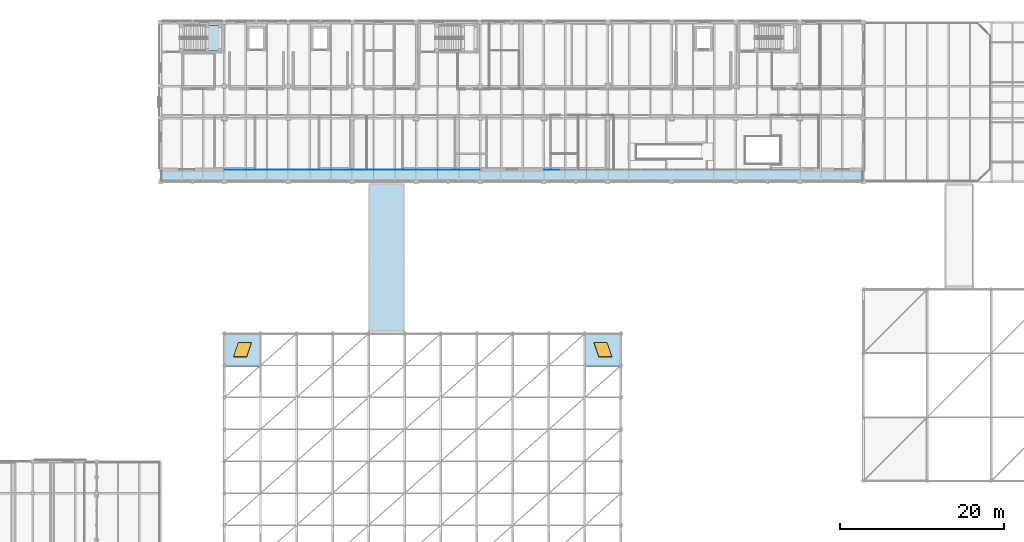
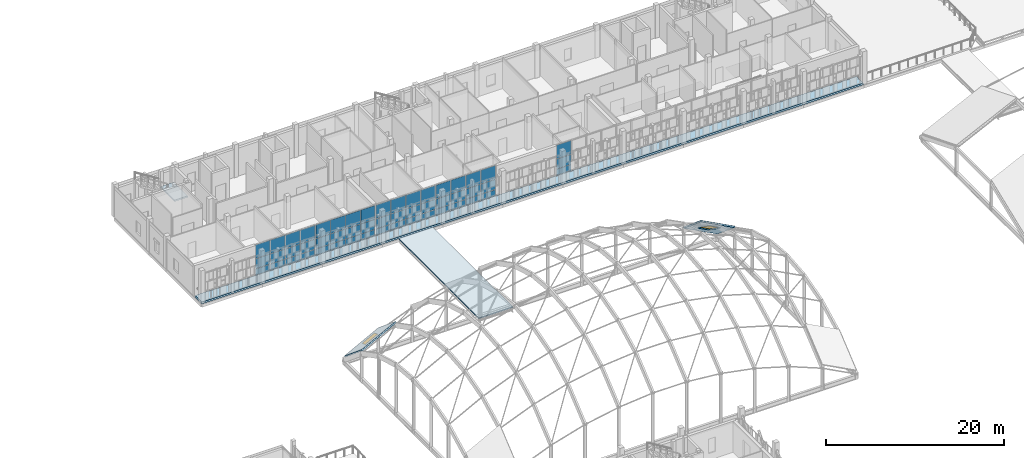
# One storey, part 73 of 119: 51 plates, 5 slabs, 2 windows, 2 openings, 6 elements without a shape of their own.
"""IFC4 building model written with IfcOpenShell, lengths in metres."""

from ifc_helpers import new_model, si_unit, direction, frame, origin, origin_2d, place, context, subcontext, project, spatial, polyline, rectangle, outline, extrude, material, layer, layer_set, type_object, element, fill, aggregate, save


model = new_model("IFC4")

# Units and contexts
model_context = context("Model", 3, precision=1e-05, world=origin(), true_north=direction((0.0, 1.0)))
body_context = subcontext(model_context, "Body", "Model", "MODEL_VIEW")
ifc_project = project(units=[si_unit("LENGTHUNIT", "METRE"), si_unit("AREAUNIT", "SQUARE_METRE"), si_unit("VOLUMEUNIT", "CUBIC_METRE"), si_unit("PLANEANGLEUNIT", "RADIAN"), si_unit("MASSUNIT", "GRAM", prefix="KILO")], contexts=[model_context])

# Site, building, storey
site_placement = place(None, origin())
site = spatial("IfcSite", under=ifc_project, at=site_placement, CompositionType="ELEMENT")
building_placement = place(site_placement, origin())
building = spatial("IfcBuilding", under=site, at=building_placement, Name="Celorna Specialist Clinic", CompositionType="ELEMENT")
storey_placement = place(building_placement, frame((0.0, 0.0, 9.60009765625)))
storey = spatial("IfcBuildingStorey", under=building, at=storey_placement, Name="L02", CompositionType="ELEMENT", Elevation=9.60009765625)

# Curtain wall, plates
ifc_material_1 = material(Name="Thermally broken aluminium and solar-control glass curtain wall", Category="aluminium")
ifc_layer_1 = layer(ifc_material_1, 0.159912109375, Name="Thermally broken aluminium and solar-control glass curtain wall")
ifc_layer_set_1 = layer_set([ifc_layer_1], Name="Thermally broken aluminium and solar-control glass curtain wall")
curtain_wall_type_1 = type_object("IfcCurtainWallType", Name="CW-68", PredefinedType="NOTDEFINED", material=ifc_layer_set_1)
curtain_wall_1_placement = place(storey_placement, origin())
curtain_wall_1 = element("IfcCurtainWall", 1, at=curtain_wall_1_placement, inside=storey, type_object=curtain_wall_type_1, Name="Curtain wall CW-68 #123", PredefinedType="NOTDEFINED")
ifc_material_2 = material(Name="Low-e double glazing", Category="glass")
ifc_layer_2 = layer(ifc_material_2, 0.028076171875, Name="Low-e double glazing")
ifc_layer_set_2 = layer_set([ifc_layer_2], Name="Low-e double glazing")
plate_type_1 = type_object("IfcPlateType", Name="CPN-01", PredefinedType="CURTAIN_PANEL", material=ifc_layer_set_2)
plate_1_placement = place(storey_placement, frame((77.009521484375, 98.0, 0.0498046875), z_axis=(0.0, 0.0, 1.0), x_axis=(-1.0, 0.0, 0.0)))
plate_1 = element("IfcPlate", 2, at=plate_1_placement, type_object=plate_type_1, Name="CW-68 panel 1.1", PredefinedType="CURTAIN_PANEL", context=body_context, shape_type="SweptSolid", body=[
    extrude(rectangle(XDim=1.873046875, YDim=0.028076171875, at=origin_2d()), origin(), (0.0, 0.0, 1.0), 0.824951171875),
])
plate_2_placement = place(storey_placement, frame((77.009521484375, 98.0, 0.9248046875), z_axis=(0.0, 0.0, 1.0), x_axis=(-1.0, 0.0, 0.0)))
plate_2 = element("IfcPlate", 3, at=plate_2_placement, type_object=plate_type_1, Name="CW-68 panel 1.2", PredefinedType="CURTAIN_PANEL", context=body_context, shape_type="SweptSolid", body=[
    extrude(rectangle(XDim=1.873046875, YDim=0.028076171875, at=origin_2d()), origin(), (0.0, 0.0, 1.0), 1.35009765625),
])
plate_3_placement = place(storey_placement, frame((77.009521484375, 98.0, 2.32470703125), z_axis=(0.0, 0.0, 1.0), x_axis=(-1.0, 0.0, 0.0)))
plate_3 = element("IfcPlate", 4, at=plate_3_placement, type_object=plate_type_1, Name="CW-68 panel 1.3", PredefinedType="CURTAIN_PANEL", context=body_context, shape_type="SweptSolid", body=[
    extrude(rectangle(XDim=1.873046875, YDim=0.028076171875, at=origin_2d()), origin(), (0.0, 0.0, 1.0), 1.864990234375),
])
plate_4_placement = place(storey_placement, frame((75.073974609375, 98.0, 0.0498046875), z_axis=(0.0, 0.0, 1.0), x_axis=(-1.0, 0.0, 0.0)))
plate_4 = element("IfcPlate", 5, at=plate_4_placement, type_object=plate_type_1, Name="CW-68 panel 2.1", PredefinedType="CURTAIN_PANEL", context=body_context, shape_type="SweptSolid", body=[
    extrude(rectangle(XDim=1.89794921875, YDim=0.028076171875, at=origin_2d()), origin(), (0.0, 0.0, 1.0), 0.824951171875),
])
plate_5_placement = place(storey_placement, frame((75.073974609375, 98.0, 0.9248046875), z_axis=(0.0, 0.0, 1.0), x_axis=(-1.0, 0.0, 0.0)))
plate_5 = element("IfcPlate", 6, at=plate_5_placement, type_object=plate_type_1, Name="CW-68 panel 2.2", PredefinedType="CURTAIN_PANEL", context=body_context, shape_type="SweptSolid", body=[
    extrude(rectangle(XDim=1.89794921875, YDim=0.028076171875, at=origin_2d()), origin(), (0.0, 0.0, 1.0), 1.35009765625),
])
plate_6_placement = place(storey_placement, frame((75.073974609375, 98.0, 2.32470703125), z_axis=(0.0, 0.0, 1.0), x_axis=(-1.0, 0.0, 0.0)))
plate_6 = element("IfcPlate", 7, at=plate_6_placement, type_object=plate_type_1, Name="CW-68 panel 2.3", PredefinedType="CURTAIN_PANEL", context=body_context, shape_type="SweptSolid", body=[
    extrude(rectangle(XDim=1.89794921875, YDim=0.028076171875, at=origin_2d()), origin(), (0.0, 0.0, 1.0), 1.864990234375),
])
plate_7_placement = place(storey_placement, frame((73.1259765625, 98.0, 0.0498046875), z_axis=(0.0, 0.0, 1.0), x_axis=(-1.0, 0.0, 0.0)))
plate_7 = element("IfcPlate", 8, at=plate_7_placement, type_object=plate_type_1, Name="CW-68 panel 3.1", PredefinedType="CURTAIN_PANEL", context=body_context, shape_type="SweptSolid", body=[
    extrude(rectangle(XDim=1.89794921875, YDim=0.028076171875, at=origin_2d()), origin(), (0.0, 0.0, 1.0), 0.824951171875),
])
plate_8_placement = place(storey_placement, frame((73.1259765625, 98.0, 0.9248046875), z_axis=(0.0, 0.0, 1.0), x_axis=(-1.0, 0.0, 0.0)))
plate_8 = element("IfcPlate", 9, at=plate_8_placement, type_object=plate_type_1, Name="CW-68 panel 3.2", PredefinedType="CURTAIN_PANEL", context=body_context, shape_type="SweptSolid", body=[
    extrude(rectangle(XDim=1.89794921875, YDim=0.028076171875, at=origin_2d()), origin(), (0.0, 0.0, 1.0), 1.35009765625),
])
plate_9_placement = place(storey_placement, frame((73.1259765625, 98.0, 2.32470703125), z_axis=(0.0, 0.0, 1.0), x_axis=(-1.0, 0.0, 0.0)))
plate_9 = element("IfcPlate", 10, at=plate_9_placement, type_object=plate_type_1, Name="CW-68 panel 3.3", PredefinedType="CURTAIN_PANEL", context=body_context, shape_type="SweptSolid", body=[
    extrude(rectangle(XDim=1.89794921875, YDim=0.028076171875, at=origin_2d()), origin(), (0.0, 0.0, 1.0), 1.864990234375),
])
plate_10_placement = place(storey_placement, frame((71.1904296875, 98.0, 0.0498046875), z_axis=(0.0, 0.0, 1.0), x_axis=(-1.0, 0.0, 0.0)))
plate_10 = element("IfcPlate", 11, at=plate_10_placement, type_object=plate_type_1, Name="CW-68 panel 4.1", PredefinedType="CURTAIN_PANEL", context=body_context, shape_type="SweptSolid", body=[
    extrude(rectangle(XDim=1.873046875, YDim=0.028076171875, at=origin_2d()), origin(), (0.0, 0.0, 1.0), 0.824951171875),
])
plate_11_placement = place(storey_placement, frame((71.1904296875, 98.0, 0.9248046875), z_axis=(0.0, 0.0, 1.0), x_axis=(-1.0, 0.0, 0.0)))
plate_11 = element("IfcPlate", 12, at=plate_11_placement, type_object=plate_type_1, Name="CW-68 panel 4.2", PredefinedType="CURTAIN_PANEL", context=body_context, shape_type="SweptSolid", body=[
    extrude(rectangle(XDim=1.873046875, YDim=0.028076171875, at=origin_2d()), origin(), (0.0, 0.0, 1.0), 1.35009765625),
])
plate_12_placement = place(storey_placement, frame((71.1904296875, 98.0, 2.32470703125), z_axis=(0.0, 0.0, 1.0), x_axis=(-1.0, 0.0, 0.0)))
plate_12 = element("IfcPlate", 13, at=plate_12_placement, type_object=plate_type_1, Name="CW-68 panel 4.3", PredefinedType="CURTAIN_PANEL", context=body_context, shape_type="SweptSolid", body=[
    extrude(rectangle(XDim=1.873046875, YDim=0.028076171875, at=origin_2d()), origin(), (0.0, 0.0, 1.0), 1.864990234375),
])
aggregate(curtain_wall_1, [plate_1, plate_2, plate_3, plate_4, plate_5, plate_6, plate_7, plate_8, plate_9, plate_10, plate_11, plate_12])

curtain_wall_2_placement = place(storey_placement, origin())
curtain_wall_2 = element("IfcCurtainWall", 14, at=curtain_wall_2_placement, inside=storey, type_object=curtain_wall_type_1, Name="Curtain wall CW-68 #125", PredefinedType="NOTDEFINED")
plate_13_placement = place(storey_placement, frame((94.590576171875, 98.0, 0.0498046875), z_axis=(0.0, 0.0, 1.0), x_axis=(-1.0, 0.0, 0.0)))
plate_13 = element("IfcPlate", 15, at=plate_13_placement, type_object=plate_type_1, Name="CW-68 panel 4.1", PredefinedType="CURTAIN_PANEL", context=body_context, shape_type="SweptSolid", body=[
    extrude(rectangle(XDim=1.873046875, YDim=0.028076171875, at=origin_2d()), origin(), (0.0, 0.0, 1.0), 0.824951171875),
])
plate_14_placement = place(storey_placement, frame((94.590576171875, 98.0, 0.9248046875), z_axis=(0.0, 0.0, 1.0), x_axis=(-1.0, 0.0, 0.0)))
plate_14 = element("IfcPlate", 16, at=plate_14_placement, type_object=plate_type_1, Name="CW-68 panel 4.2", PredefinedType="CURTAIN_PANEL", context=body_context, shape_type="SweptSolid", body=[
    extrude(rectangle(XDim=1.873046875, YDim=0.028076171875, at=origin_2d()), origin(), (0.0, 0.0, 1.0), 1.35009765625),
])
plate_15_placement = place(storey_placement, frame((94.590576171875, 98.0, 2.32470703125), z_axis=(0.0, 0.0, 1.0), x_axis=(-1.0, 0.0, 0.0)))
plate_15 = element("IfcPlate", 17, at=plate_15_placement, type_object=plate_type_1, Name="CW-68 panel 4.3", PredefinedType="CURTAIN_PANEL", context=body_context, shape_type="SweptSolid", body=[
    extrude(rectangle(XDim=1.873046875, YDim=0.028076171875, at=origin_2d()), origin(), (0.0, 0.0, 1.0), 1.864990234375),
])
aggregate(curtain_wall_2, [plate_13, plate_14, plate_15])

ifc_layer_3 = layer(ifc_material_1, 0.159912109375, Name="Thermally broken aluminium and solar-control glass curtain wall")
ifc_layer_set_3 = layer_set([ifc_layer_3], Name="Thermally broken aluminium and solar-control glass curtain wall")
curtain_wall_type_2 = type_object("IfcCurtainWallType", Name="CW-67", PredefinedType="NOTDEFINED", material=ifc_layer_set_3)
curtain_wall_3_placement = place(storey_placement, origin())
curtain_wall_3 = element("IfcCurtainWall", 18, at=curtain_wall_3_placement, inside=storey, type_object=curtain_wall_type_2, Name="Curtain wall CW-67 #121", PredefinedType="NOTDEFINED")
ifc_material_3 = material(Name="Solar-control triple glazing", Category="glass")
ifc_layer_4 = layer(ifc_material_3, 0.035888671875, Name="Solar-control triple glazing")
ifc_layer_set_4 = layer_set([ifc_layer_4], Name="Solar-control triple glazing")
plate_type_2 = type_object("IfcPlateType", Name="CPN-02", PredefinedType="CURTAIN_PANEL", material=ifc_layer_set_4)
plate_16_placement = place(storey_placement, frame((61.409423828125, 98.0, 0.0498046875), z_axis=(0.0, 0.0, 1.0), x_axis=(-1.0, 0.0, 0.0)))
plate_16 = element("IfcPlate", 19, at=plate_16_placement, type_object=plate_type_2, Name="CW-67 panel 1.1", PredefinedType="CURTAIN_PANEL", context=body_context, shape_type="SweptSolid", body=[
    extrude(rectangle(XDim=1.873046875, YDim=0.035888671875, at=origin_2d()), origin(), (0.0, 0.0, 1.0), 0.824951171875),
])
plate_17_placement = place(storey_placement, frame((61.409423828125, 98.0, 0.9248046875), z_axis=(0.0, 0.0, 1.0), x_axis=(-1.0, 0.0, 0.0)))
plate_17 = element("IfcPlate", 20, at=plate_17_placement, type_object=plate_type_2, Name="CW-67 panel 1.2", PredefinedType="CURTAIN_PANEL", context=body_context, shape_type="SweptSolid", body=[
    extrude(rectangle(XDim=1.873046875, YDim=0.035888671875, at=origin_2d()), origin(), (0.0, 0.0, 1.0), 1.35009765625),
])
plate_18_placement = place(storey_placement, frame((61.409423828125, 98.0, 2.32470703125), z_axis=(0.0, 0.0, 1.0), x_axis=(-1.0, 0.0, 0.0)))
plate_18 = element("IfcPlate", 21, at=plate_18_placement, type_object=plate_type_2, Name="CW-67 panel 1.3", PredefinedType="CURTAIN_PANEL", context=body_context, shape_type="SweptSolid", body=[
    extrude(rectangle(XDim=1.873046875, YDim=0.035888671875, at=origin_2d()), origin(), (0.0, 0.0, 1.0), 1.864990234375),
])
plate_19_placement = place(storey_placement, frame((59.47412109375, 98.0, 0.0498046875), z_axis=(0.0, 0.0, 1.0), x_axis=(-1.0, 0.0, 0.0)))
plate_19 = element("IfcPlate", 22, at=plate_19_placement, type_object=plate_type_2, Name="CW-67 panel 2.1", PredefinedType="CURTAIN_PANEL", context=body_context, shape_type="SweptSolid", body=[
    extrude(rectangle(XDim=1.89794921875, YDim=0.035888671875, at=origin_2d()), origin(), (0.0, 0.0, 1.0), 0.824951171875),
])
plate_20_placement = place(storey_placement, frame((59.47412109375, 98.0, 0.9248046875), z_axis=(0.0, 0.0, 1.0), x_axis=(-1.0, 0.0, 0.0)))
plate_20 = element("IfcPlate", 23, at=plate_20_placement, type_object=plate_type_2, Name="CW-67 panel 2.2", PredefinedType="CURTAIN_PANEL", context=body_context, shape_type="SweptSolid", body=[
    extrude(rectangle(XDim=1.89794921875, YDim=0.035888671875, at=origin_2d()), origin(), (0.0, 0.0, 1.0), 1.35009765625),
])
plate_21_placement = place(storey_placement, frame((59.47412109375, 98.0, 2.32470703125), z_axis=(0.0, 0.0, 1.0), x_axis=(-1.0, 0.0, 0.0)))
plate_21 = element("IfcPlate", 24, at=plate_21_placement, type_object=plate_type_2, Name="CW-67 panel 2.3", PredefinedType="CURTAIN_PANEL", context=body_context, shape_type="SweptSolid", body=[
    extrude(rectangle(XDim=1.89794921875, YDim=0.035888671875, at=origin_2d()), origin(), (0.0, 0.0, 1.0), 1.864990234375),
])
plate_22_placement = place(storey_placement, frame((57.52587890625, 98.0, 0.0498046875), z_axis=(0.0, 0.0, 1.0), x_axis=(-1.0, 0.0, 0.0)))
plate_22 = element("IfcPlate", 25, at=plate_22_placement, type_object=plate_type_2, Name="CW-67 panel 3.1", PredefinedType="CURTAIN_PANEL", context=body_context, shape_type="SweptSolid", body=[
    extrude(rectangle(XDim=1.89794921875, YDim=0.035888671875, at=origin_2d()), origin(), (0.0, 0.0, 1.0), 0.824951171875),
])
plate_23_placement = place(storey_placement, frame((57.52587890625, 98.0, 0.9248046875), z_axis=(0.0, 0.0, 1.0), x_axis=(-1.0, 0.0, 0.0)))
plate_23 = element("IfcPlate", 26, at=plate_23_placement, type_object=plate_type_2, Name="CW-67 panel 3.2", PredefinedType="CURTAIN_PANEL", context=body_context, shape_type="SweptSolid", body=[
    extrude(rectangle(XDim=1.89794921875, YDim=0.035888671875, at=origin_2d()), origin(), (0.0, 0.0, 1.0), 1.35009765625),
])
plate_24_placement = place(storey_placement, frame((57.52587890625, 98.0, 2.32470703125), z_axis=(0.0, 0.0, 1.0), x_axis=(-1.0, 0.0, 0.0)))
plate_24 = element("IfcPlate", 27, at=plate_24_placement, type_object=plate_type_2, Name="CW-67 panel 3.3", PredefinedType="CURTAIN_PANEL", context=body_context, shape_type="SweptSolid", body=[
    extrude(rectangle(XDim=1.89794921875, YDim=0.035888671875, at=origin_2d()), origin(), (0.0, 0.0, 1.0), 1.864990234375),
])
plate_25_placement = place(storey_placement, frame((55.590576171875, 98.0, 0.0498046875), z_axis=(0.0, 0.0, 1.0), x_axis=(-1.0, 0.0, 0.0)))
plate_25 = element("IfcPlate", 28, at=plate_25_placement, type_object=plate_type_2, Name="CW-67 panel 4.1", PredefinedType="CURTAIN_PANEL", context=body_context, shape_type="SweptSolid", body=[
    extrude(rectangle(XDim=1.873046875, YDim=0.035888671875, at=origin_2d()), origin(), (0.0, 0.0, 1.0), 0.824951171875),
])
plate_26_placement = place(storey_placement, frame((55.590576171875, 98.0, 0.9248046875), z_axis=(0.0, 0.0, 1.0), x_axis=(-1.0, 0.0, 0.0)))
plate_26 = element("IfcPlate", 29, at=plate_26_placement, type_object=plate_type_2, Name="CW-67 panel 4.2", PredefinedType="CURTAIN_PANEL", context=body_context, shape_type="SweptSolid", body=[
    extrude(rectangle(XDim=1.873046875, YDim=0.035888671875, at=origin_2d()), origin(), (0.0, 0.0, 1.0), 1.35009765625),
])
plate_27_placement = place(storey_placement, frame((55.590576171875, 98.0, 2.32470703125), z_axis=(0.0, 0.0, 1.0), x_axis=(-1.0, 0.0, 0.0)))
plate_27 = element("IfcPlate", 30, at=plate_27_placement, type_object=plate_type_2, Name="CW-67 panel 4.3", PredefinedType="CURTAIN_PANEL", context=body_context, shape_type="SweptSolid", body=[
    extrude(rectangle(XDim=1.873046875, YDim=0.035888671875, at=origin_2d()), origin(), (0.0, 0.0, 1.0), 1.864990234375),
])
aggregate(curtain_wall_3, [plate_16, plate_17, plate_18, plate_19, plate_20, plate_21, plate_22, plate_23, plate_24, plate_25, plate_26, plate_27])

curtain_wall_4_placement = place(storey_placement, origin())
curtain_wall_4 = element("IfcCurtainWall", 31, at=curtain_wall_4_placement, inside=storey, type_object=curtain_wall_type_2, Name="Curtain wall CW-67 #124", PredefinedType="NOTDEFINED")
plate_28_placement = place(storey_placement, frame((84.8095703125, 98.0, 0.0498046875), z_axis=(0.0, 0.0, 1.0), x_axis=(-1.0, 0.0, 0.0)))
plate_28 = element("IfcPlate", 32, at=plate_28_placement, type_object=plate_type_2, Name="CW-67 panel 1.1", PredefinedType="CURTAIN_PANEL", context=body_context, shape_type="SweptSolid", body=[
    extrude(rectangle(XDim=1.873046875, YDim=0.035888671875, at=origin_2d()), origin(), (0.0, 0.0, 1.0), 0.824951171875),
])
plate_29_placement = place(storey_placement, frame((84.8095703125, 98.0, 0.9248046875), z_axis=(0.0, 0.0, 1.0), x_axis=(-1.0, 0.0, 0.0)))
plate_29 = element("IfcPlate", 33, at=plate_29_placement, type_object=plate_type_2, Name="CW-67 panel 1.2", PredefinedType="CURTAIN_PANEL", context=body_context, shape_type="SweptSolid", body=[
    extrude(rectangle(XDim=1.873046875, YDim=0.035888671875, at=origin_2d()), origin(), (0.0, 0.0, 1.0), 1.35009765625),
])
plate_30_placement = place(storey_placement, frame((84.8095703125, 98.0, 2.32470703125), z_axis=(0.0, 0.0, 1.0), x_axis=(-1.0, 0.0, 0.0)))
plate_30 = element("IfcPlate", 34, at=plate_30_placement, type_object=plate_type_2, Name="CW-67 panel 1.3", PredefinedType="CURTAIN_PANEL", context=body_context, shape_type="SweptSolid", body=[
    extrude(rectangle(XDim=1.873046875, YDim=0.035888671875, at=origin_2d()), origin(), (0.0, 0.0, 1.0), 1.864990234375),
])
plate_31_placement = place(storey_placement, frame((82.8740234375, 98.0, 0.0498046875), z_axis=(0.0, 0.0, 1.0), x_axis=(-1.0, 0.0, 0.0)))
plate_31 = element("IfcPlate", 35, at=plate_31_placement, type_object=plate_type_2, Name="CW-67 panel 2.1", PredefinedType="CURTAIN_PANEL", context=body_context, shape_type="SweptSolid", body=[
    extrude(rectangle(XDim=1.89794921875, YDim=0.035888671875, at=origin_2d()), origin(), (0.0, 0.0, 1.0), 0.824951171875),
])
plate_32_placement = place(storey_placement, frame((82.8740234375, 98.0, 0.9248046875), z_axis=(0.0, 0.0, 1.0), x_axis=(-1.0, 0.0, 0.0)))
plate_32 = element("IfcPlate", 36, at=plate_32_placement, type_object=plate_type_2, Name="CW-67 panel 2.2", PredefinedType="CURTAIN_PANEL", context=body_context, shape_type="SweptSolid", body=[
    extrude(rectangle(XDim=1.89794921875, YDim=0.035888671875, at=origin_2d()), origin(), (0.0, 0.0, 1.0), 1.35009765625),
])
plate_33_placement = place(storey_placement, frame((82.8740234375, 98.0, 2.32470703125), z_axis=(0.0, 0.0, 1.0), x_axis=(-1.0, 0.0, 0.0)))
plate_33 = element("IfcPlate", 37, at=plate_33_placement, type_object=plate_type_2, Name="CW-67 panel 2.3", PredefinedType="CURTAIN_PANEL", context=body_context, shape_type="SweptSolid", body=[
    extrude(rectangle(XDim=1.89794921875, YDim=0.035888671875, at=origin_2d()), origin(), (0.0, 0.0, 1.0), 1.864990234375),
])
plate_34_placement = place(storey_placement, frame((80.926025390625, 98.0, 0.0498046875), z_axis=(0.0, 0.0, 1.0), x_axis=(-1.0, 0.0, 0.0)))
plate_34 = element("IfcPlate", 38, at=plate_34_placement, type_object=plate_type_2, Name="CW-67 panel 3.1", PredefinedType="CURTAIN_PANEL", context=body_context, shape_type="SweptSolid", body=[
    extrude(rectangle(XDim=1.89794921875, YDim=0.035888671875, at=origin_2d()), origin(), (0.0, 0.0, 1.0), 0.824951171875),
])
plate_35_placement = place(storey_placement, frame((80.926025390625, 98.0, 0.9248046875), z_axis=(0.0, 0.0, 1.0), x_axis=(-1.0, 0.0, 0.0)))
plate_35 = element("IfcPlate", 39, at=plate_35_placement, type_object=plate_type_2, Name="CW-67 panel 3.2", PredefinedType="CURTAIN_PANEL", context=body_context, shape_type="SweptSolid", body=[
    extrude(rectangle(XDim=1.89794921875, YDim=0.035888671875, at=origin_2d()), origin(), (0.0, 0.0, 1.0), 1.35009765625),
])
plate_36_placement = place(storey_placement, frame((80.926025390625, 98.0, 2.32470703125), z_axis=(0.0, 0.0, 1.0), x_axis=(-1.0, 0.0, 0.0)))
plate_36 = element("IfcPlate", 40, at=plate_36_placement, type_object=plate_type_2, Name="CW-67 panel 3.3", PredefinedType="CURTAIN_PANEL", context=body_context, shape_type="SweptSolid", body=[
    extrude(rectangle(XDim=1.89794921875, YDim=0.035888671875, at=origin_2d()), origin(), (0.0, 0.0, 1.0), 1.864990234375),
])
plate_37_placement = place(storey_placement, frame((78.990478515625, 98.0, 0.0498046875), z_axis=(0.0, 0.0, 1.0), x_axis=(-1.0, 0.0, 0.0)))
plate_37 = element("IfcPlate", 41, at=plate_37_placement, type_object=plate_type_2, Name="CW-67 panel 4.1", PredefinedType="CURTAIN_PANEL", context=body_context, shape_type="SweptSolid", body=[
    extrude(rectangle(XDim=1.873046875, YDim=0.035888671875, at=origin_2d()), origin(), (0.0, 0.0, 1.0), 0.824951171875),
])
plate_38_placement = place(storey_placement, frame((78.990478515625, 98.0, 0.9248046875), z_axis=(0.0, 0.0, 1.0), x_axis=(-1.0, 0.0, 0.0)))
plate_38 = element("IfcPlate", 42, at=plate_38_placement, type_object=plate_type_2, Name="CW-67 panel 4.2", PredefinedType="CURTAIN_PANEL", context=body_context, shape_type="SweptSolid", body=[
    extrude(rectangle(XDim=1.873046875, YDim=0.035888671875, at=origin_2d()), origin(), (0.0, 0.0, 1.0), 1.35009765625),
])
plate_39_placement = place(storey_placement, frame((78.990478515625, 98.0, 2.32470703125), z_axis=(0.0, 0.0, 1.0), x_axis=(-1.0, 0.0, 0.0)))
plate_39 = element("IfcPlate", 43, at=plate_39_placement, type_object=plate_type_2, Name="CW-67 panel 4.3", PredefinedType="CURTAIN_PANEL", context=body_context, shape_type="SweptSolid", body=[
    extrude(rectangle(XDim=1.873046875, YDim=0.035888671875, at=origin_2d()), origin(), (0.0, 0.0, 1.0), 1.864990234375),
])
aggregate(curtain_wall_4, [plate_28, plate_29, plate_30, plate_31, plate_32, plate_33, plate_34, plate_35, plate_36, plate_37, plate_38, plate_39])

ifc_layer_5 = layer(ifc_material_1, 0.159912109375, Name="Thermally broken aluminium and solar-control glass curtain wall")
ifc_layer_set_5 = layer_set([ifc_layer_5], Name="Thermally broken aluminium and solar-control glass curtain wall")
curtain_wall_type_3 = type_object("IfcCurtainWallType", Name="CW-32", PredefinedType="NOTDEFINED", material=ifc_layer_set_5)
curtain_wall_5_placement = place(storey_placement, origin())
curtain_wall_5 = element("IfcCurtainWall", 44, at=curtain_wall_5_placement, inside=storey, type_object=curtain_wall_type_3, Name="Curtain wall CW-32 #122", PredefinedType="NOTDEFINED")
ifc_material_4 = material(Name="Glazed polychrome ceramic insulated spandrel")
ifc_layer_6 = layer(ifc_material_4, 0.0439453125, Name="Glazed polychrome ceramic insulated spandrel")
ifc_layer_set_6 = layer_set([ifc_layer_6], Name="Glazed polychrome ceramic insulated spandrel")
plate_type_3 = type_object("IfcPlateType", Name="CPN-03", PredefinedType="CURTAIN_PANEL", material=ifc_layer_set_6)
plate_40_placement = place(storey_placement, frame((69.20947265625, 98.0, 0.0498046875), z_axis=(0.0, 0.0, 1.0), x_axis=(-1.0, 0.0, 0.0)))
plate_40 = element("IfcPlate", 45, at=plate_40_placement, type_object=plate_type_3, Name="CW-32 panel 1.1", PredefinedType="CURTAIN_PANEL", context=body_context, shape_type="SweptSolid", body=[
    extrude(rectangle(XDim=1.873046875, YDim=0.0439453125, at=origin_2d()), origin(), (0.0, 0.0, 1.0), 0.824951171875),
])
plate_41_placement = place(storey_placement, frame((69.20947265625, 98.0, 0.9248046875), z_axis=(0.0, 0.0, 1.0), x_axis=(-1.0, 0.0, 0.0)))
plate_41 = element("IfcPlate", 46, at=plate_41_placement, type_object=plate_type_3, Name="CW-32 panel 1.2", PredefinedType="CURTAIN_PANEL", context=body_context, shape_type="SweptSolid", body=[
    extrude(rectangle(XDim=1.873046875, YDim=0.0439453125, at=origin_2d()), origin(), (0.0, 0.0, 1.0), 1.35009765625),
])
plate_42_placement = place(storey_placement, frame((69.20947265625, 98.0, 2.32470703125), z_axis=(0.0, 0.0, 1.0), x_axis=(-1.0, 0.0, 0.0)))
plate_42 = element("IfcPlate", 47, at=plate_42_placement, type_object=plate_type_3, Name="CW-32 panel 1.3", PredefinedType="CURTAIN_PANEL", context=body_context, shape_type="SweptSolid", body=[
    extrude(rectangle(XDim=1.873046875, YDim=0.0439453125, at=origin_2d()), origin(), (0.0, 0.0, 1.0), 1.864990234375),
])
plate_43_placement = place(storey_placement, frame((67.27392578125, 98.0, 0.0498046875), z_axis=(0.0, 0.0, 1.0), x_axis=(-1.0, 0.0, 0.0)))
plate_43 = element("IfcPlate", 48, at=plate_43_placement, type_object=plate_type_3, Name="CW-32 panel 2.1", PredefinedType="CURTAIN_PANEL", context=body_context, shape_type="SweptSolid", body=[
    extrude(rectangle(XDim=1.89794921875, YDim=0.0439453125, at=origin_2d()), origin(), (0.0, 0.0, 1.0), 0.824951171875),
])
plate_44_placement = place(storey_placement, frame((67.27392578125, 98.0, 0.9248046875), z_axis=(0.0, 0.0, 1.0), x_axis=(-1.0, 0.0, 0.0)))
plate_44 = element("IfcPlate", 49, at=plate_44_placement, type_object=plate_type_3, Name="CW-32 panel 2.2", PredefinedType="CURTAIN_PANEL", context=body_context, shape_type="SweptSolid", body=[
    extrude(rectangle(XDim=1.89794921875, YDim=0.0439453125, at=origin_2d()), origin(), (0.0, 0.0, 1.0), 1.35009765625),
])
plate_45_placement = place(storey_placement, frame((67.27392578125, 98.0, 2.32470703125), z_axis=(0.0, 0.0, 1.0), x_axis=(-1.0, 0.0, 0.0)))
plate_45 = element("IfcPlate", 50, at=plate_45_placement, type_object=plate_type_3, Name="CW-32 panel 2.3", PredefinedType="CURTAIN_PANEL", context=body_context, shape_type="SweptSolid", body=[
    extrude(rectangle(XDim=1.89794921875, YDim=0.0439453125, at=origin_2d()), origin(), (0.0, 0.0, 1.0), 1.864990234375),
])
plate_46_placement = place(storey_placement, frame((65.325927734375, 98.0, 0.0498046875), z_axis=(0.0, 0.0, 1.0), x_axis=(-1.0, 0.0, 0.0)))
plate_46 = element("IfcPlate", 51, at=plate_46_placement, type_object=plate_type_3, Name="CW-32 panel 3.1", PredefinedType="CURTAIN_PANEL", context=body_context, shape_type="SweptSolid", body=[
    extrude(rectangle(XDim=1.89794921875, YDim=0.0439453125, at=origin_2d()), origin(), (0.0, 0.0, 1.0), 0.824951171875),
])
plate_47_placement = place(storey_placement, frame((65.325927734375, 98.0, 0.9248046875), z_axis=(0.0, 0.0, 1.0), x_axis=(-1.0, 0.0, 0.0)))
plate_47 = element("IfcPlate", 52, at=plate_47_placement, type_object=plate_type_3, Name="CW-32 panel 3.2", PredefinedType="CURTAIN_PANEL", context=body_context, shape_type="SweptSolid", body=[
    extrude(rectangle(XDim=1.89794921875, YDim=0.0439453125, at=origin_2d()), origin(), (0.0, 0.0, 1.0), 1.35009765625),
])
plate_48_placement = place(storey_placement, frame((65.325927734375, 98.0, 2.32470703125), z_axis=(0.0, 0.0, 1.0), x_axis=(-1.0, 0.0, 0.0)))
plate_48 = element("IfcPlate", 53, at=plate_48_placement, type_object=plate_type_3, Name="CW-32 panel 3.3", PredefinedType="CURTAIN_PANEL", context=body_context, shape_type="SweptSolid", body=[
    extrude(rectangle(XDim=1.89794921875, YDim=0.0439453125, at=origin_2d()), origin(), (0.0, 0.0, 1.0), 1.864990234375),
])
plate_49_placement = place(storey_placement, frame((63.390380859375, 98.0, 0.0498046875), z_axis=(0.0, 0.0, 1.0), x_axis=(-1.0, 0.0, 0.0)))
plate_49 = element("IfcPlate", 54, at=plate_49_placement, type_object=plate_type_3, Name="CW-32 panel 4.1", PredefinedType="CURTAIN_PANEL", context=body_context, shape_type="SweptSolid", body=[
    extrude(rectangle(XDim=1.873046875, YDim=0.0439453125, at=origin_2d()), origin(), (0.0, 0.0, 1.0), 0.824951171875),
])
plate_50_placement = place(storey_placement, frame((63.390380859375, 98.0, 0.9248046875), z_axis=(0.0, 0.0, 1.0), x_axis=(-1.0, 0.0, 0.0)))
plate_50 = element("IfcPlate", 55, at=plate_50_placement, type_object=plate_type_3, Name="CW-32 panel 4.2", PredefinedType="CURTAIN_PANEL", context=body_context, shape_type="SweptSolid", body=[
    extrude(rectangle(XDim=1.873046875, YDim=0.0439453125, at=origin_2d()), origin(), (0.0, 0.0, 1.0), 1.35009765625),
])
plate_51_placement = place(storey_placement, frame((63.390380859375, 98.0, 2.32470703125), z_axis=(0.0, 0.0, 1.0), x_axis=(-1.0, 0.0, 0.0)))
plate_51 = element("IfcPlate", 56, at=plate_51_placement, type_object=plate_type_3, Name="CW-32 panel 4.3", PredefinedType="CURTAIN_PANEL", context=body_context, shape_type="SweptSolid", body=[
    extrude(rectangle(XDim=1.873046875, YDim=0.0439453125, at=origin_2d()), origin(), (0.0, 0.0, 1.0), 1.864990234375),
])
aggregate(curtain_wall_5, [plate_40, plate_41, plate_42, plate_43, plate_44, plate_45, plate_46, plate_47, plate_48, plate_49, plate_50, plate_51])

# Slab
ifc_material_5 = material(Name="Concrete C35/45", Category="concrete")
ifc_layer_7 = layer(ifc_material_5, 0.260009765625, Name="Concrete C35/45")
ifc_layer_set_7 = layer_set([ifc_layer_7], Name="Concrete C35/45")
slab_type_1 = type_object("IfcSlabType", Name="SL-07", PredefinedType="FLOOR", material=ifc_layer_set_7)
slab_1_placement = place(storey_placement, frame((0.0, 0.0, -0.260009765625)))
element("IfcSlab", 57, at=slab_1_placement, inside=storey, type_object=slab_type_1, Name="Outpatient L02 Cloister Veranda", PredefinedType="FLOOR", context=body_context, shape_type="SweptSolid", body=[
    extrude(outline(polyline([(46.800048828125, 96.5), (132.60009765625, 96.5), (132.60009765625, 98.0), (46.800048828125, 98.0), (46.800048828125, 96.5)])), origin(), (0.0, 0.0, 1.0), 0.260009765625),
])

# Stair, slab
stair_type = type_object("IfcStairType", Name="ST-01", PredefinedType="HALF_TURN_STAIR", material=ifc_material_5)
stair_placement = place(storey_placement, origin())
stair = element("IfcStair", 58, at=stair_placement, inside=storey, type_object=stair_type, Name="L02 Protected exit stair ST-01", PredefinedType="HALF_TURN_STAIR")
ifc_layer_8 = layer(ifc_material_5, 0.199951171875, Name="Concrete C35/45")
ifc_layer_set_8 = layer_set([ifc_layer_8], Name="Concrete C35/45")
slab_type_2 = type_object("IfcSlabType", Name="SL-11", PredefinedType="LANDING", material=ifc_layer_set_8)
slab_2_placement = place(storey_placement, frame((0.0, 0.0, 2.0498046875)))
slab_2 = element("IfcSlab", 59, at=slab_2_placement, type_object=slab_type_2, Name="ST-01 landing 1", PredefinedType="LANDING", context=body_context, shape_type="SweptSolid", body=[
    extrude(outline(polyline([(52.5, 112.52001953125), (54.239990234375, 112.52001953125), (54.239990234375, 115.6201171875), (52.5, 115.6201171875), (52.5, 112.52001953125)])), origin(), (0.0, 0.0, 1.0), 0.2001953125),
])
aggregate(stair, [slab_2])

# Slab, opening, window
ifc_material_6 = material(Name="Glulam GL28h insulated roof deck", Category="wood")
ifc_layer_9 = layer(ifc_material_6, 0.179931640625, Name="Glulam GL28h insulated roof deck")
ifc_layer_set_9 = layer_set([ifc_layer_9], Name="Glulam GL28h insulated roof deck")
slab_type_3 = type_object("IfcSlabType", Name="SL-12", PredefinedType="ROOF", material=ifc_layer_set_9)
slab_3_placement = place(storey_placement, frame((54.60009765625, 74.10009765625, 4.332763671875), z_axis=(-0.377044351271, 0.592167971342, 0.712161955521), x_axis=(0.883782525375, 1.0340448e-05, 0.46789790311)))
slab_3 = element("IfcSlab", 60, at=slab_3_placement, inside=storey, type_object=slab_type_3, Name="GSH-V1 translational gridshell roof facet 1-8", PredefinedType="ROOF", context=body_context, shape_type="SweptSolid", body=[
    extrude(outline(polyline([(0.0, 0.0), (4.97845277487355, 0.0), (3.461251903099378, 4.839657634608282), (-1.517315104660674, 4.839785405995969), (0.0, 0.0)])), origin(), (0.0, 0.0, -1.0), 0.179931640625),
])
opening_1_placement = place(slab_3_placement, frame((1.730712890625, 2.419921875, 0.010009765625)))
opening_1 = element("IfcOpeningElement", 61, at=opening_1_placement, cuts=slab_3, Name="Opening SK-02", PredefinedType="OPENING", context=body_context, shape_type="SweptSolid", body=[
    extrude(rectangle(XDim=1.800048828125, YDim=2.14990234375, at=origin_2d()), origin(), (0.0, 0.0, -1.0), 0.199951171875),
])
ifc_material_7 = material(Name="Outpatient atrium skylight lantern")
window_type = type_object("IfcWindowType", Name="SK-02", PartitioningType="SINGLE_PANEL", PredefinedType="SKYLIGHT", material=ifc_material_7)
window_1_placement = place(opening_1_placement, frame((0.0, 0.0, -0.010009765625)))
window_1 = element("IfcWindow", 62, at=window_1_placement, inside=storey, type_object=window_type, Name="GSH-V1 gridshell skylight 1-8", OverallHeight=2.14990234375, OverallWidth=1.800048828125, PartitioningType="SINGLE_PANEL", PredefinedType="SKYLIGHT", context=body_context, shape_type="SweptSolid", body=[
    extrude(rectangle(XDim=1.800048828125, YDim=2.14990234375, at=origin_2d()), origin(), (0.0, 0.0, -1.0), 0.050048828125),
])
fill(opening_1, window_1)

slab_4_placement = place(storey_placement, frame((98.60009765625, 74.10009765625, 6.662109375), z_axis=(0.377044351271, 0.592167971342, 0.712161955521), x_axis=(0.883782525375, -1.0340448e-05, -0.46789790311)))
slab_4 = element("IfcSlab", 63, at=slab_4_placement, inside=storey, type_object=slab_type_3, Name="GSH-V1 translational gridshell roof facet 11-8", PredefinedType="ROOF", context=body_context, shape_type="SweptSolid", body=[
    extrude(outline(polyline([(0.0, 0.0), (4.97845277487355, 0.0), (6.495767879534224, 4.839785405995969), (1.5172008717741727, 4.839657634608282), (0.0, 0.0)])), origin(), (0.0, 0.0, -1.0), 0.179931640625),
])
opening_2_placement = place(slab_4_placement, frame((3.247802734375, 2.419921875, 0.010009765625)))
opening_2 = element("IfcOpeningElement", 64, at=opening_2_placement, cuts=slab_4, Name="Opening SK-02", PredefinedType="OPENING", context=body_context, shape_type="SweptSolid", body=[
    extrude(rectangle(XDim=1.800048828125, YDim=2.14990234375, at=origin_2d()), origin(), (0.0, 0.0, -1.0), 0.199951171875),
])
window_2_placement = place(opening_2_placement, frame((0.0, 0.0, -0.010009765625)))
window_2 = element("IfcWindow", 65, at=window_2_placement, inside=storey, type_object=window_type, Name="GSH-V1 gridshell skylight 11-8", OverallHeight=2.14990234375, OverallWidth=1.800048828125, PartitioningType="SINGLE_PANEL", PredefinedType="SKYLIGHT", context=body_context, shape_type="SweptSolid", body=[
    extrude(rectangle(XDim=1.800048828125, YDim=2.14990234375, at=origin_2d()), origin(), (0.0, 0.0, -1.0), 0.050048828125),
])
fill(opening_2, window_2)

# Slab
ifc_material_8 = material(Name="Precast concrete C35/45", Category="concrete")
ifc_layer_10 = layer(ifc_material_8, 0.139892578125, Name="Precast concrete C35/45")
ifc_layer_set_10 = layer_set([ifc_layer_10], Name="Precast concrete C35/45")
slab_type_4 = type_object("IfcSlabType", Name="SL-14", PredefinedType="ROOF", material=ifc_layer_set_10)
slab_5_placement = place(storey_placement, frame((0.0, 0.0, -0.14013671875)))
element("IfcSlab", 66, at=slab_5_placement, inside=storey, type_object=slab_type_4, Name="Cloister bridge BR-04 roof slab", PredefinedType="ROOF", context=body_context, shape_type="SweptSolid", body=[
    extrude(outline(polyline([(72.199951171875, 78.260009765625), (76.60009765625, 78.260009765625), (76.60009765625, 96.199951171875), (72.199951171875, 96.199951171875), (72.199951171875, 78.260009765625)])), origin(), (0.0, 0.0, 1.0), 0.14013671875),
])

save(model, "model.ifc")
